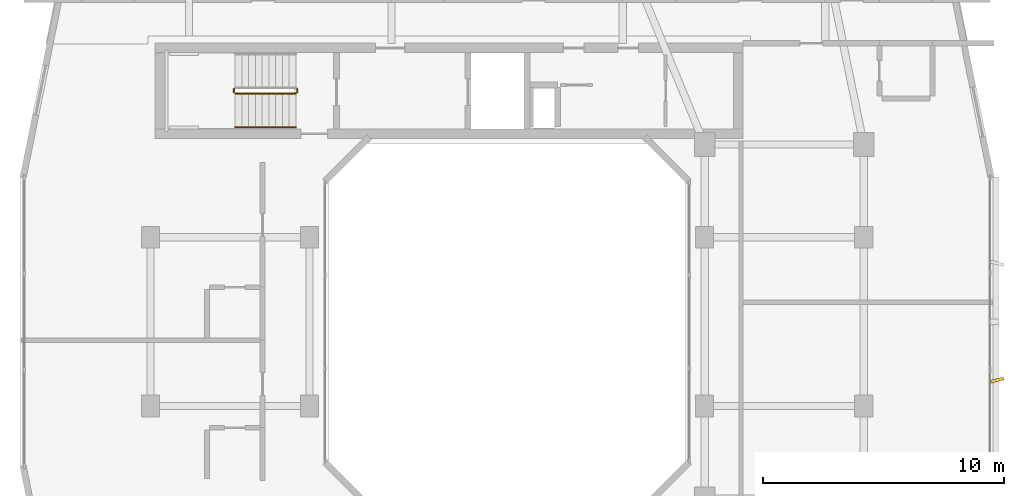
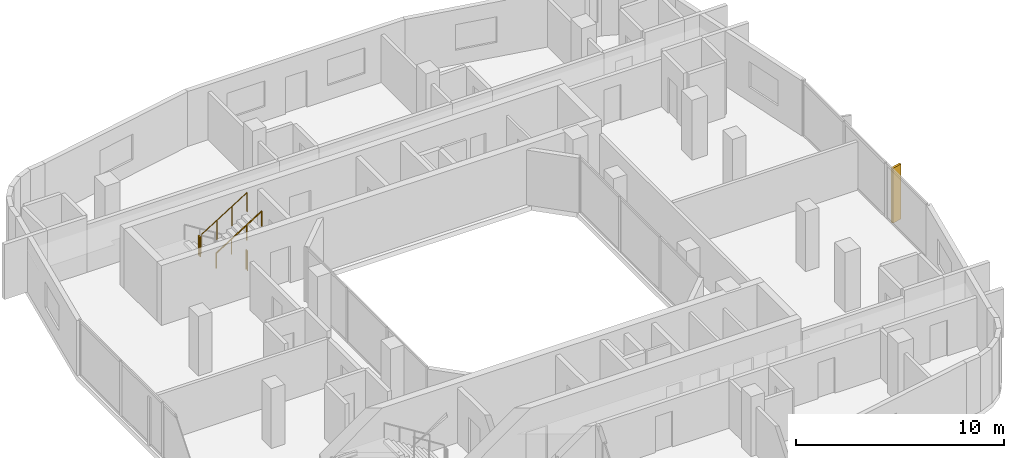
# One storey, part 12 of 13: 4 railings, 1 shading device.
"""IFC4 building model written with IfcOpenShell, lengths in metres."""

from ifc_helpers import new_model, si_unit, derived_unit, direction, frame, origin, origin_2d, place, context, subcontext, project, spatial, rectangle, circle, extrude, material, type_object, element, save


model = new_model("IFC4")

# Units and contexts
model_context = context("Model", 3, precision=1e-05, world=origin(), true_north=direction((0.0, 1.0)))
body_context = subcontext(model_context, "Body", "Model", "MODEL_VIEW")
ifc_project = project(units=[si_unit("LENGTHUNIT", "METRE"), si_unit("AREAUNIT", "SQUARE_METRE"), si_unit("VOLUMEUNIT", "CUBIC_METRE"), si_unit("PLANEANGLEUNIT", "RADIAN"), si_unit("MASSUNIT", "GRAM", prefix="KILO"), derived_unit("THERMALTRANSMITTANCEUNIT", [(si_unit("POWERUNIT", "WATT"), 1), (si_unit("LENGTHUNIT", "METRE"), -2), (si_unit("THERMODYNAMICTEMPERATUREUNIT", "KELVIN"), -1)])], contexts=[model_context])

# Site, building, storey
site_placement = place(None, origin())
site = spatial("IfcSite", under=ifc_project, at=site_placement, CompositionType="ELEMENT")
building_placement = place(site_placement, origin())
building = spatial("IfcBuilding", under=site, at=building_placement, Name="Kivonza Crest Hotel", CompositionType="ELEMENT")
storey_placement = place(building_placement, frame((0.0, 0.0, 155.5)))
storey = spatial("IfcBuildingStorey", under=building, at=storey_placement, Name="L42", CompositionType="ELEMENT", Elevation=155.5)

# Railings
ifc_material_1 = material(Name="Brushed stainless steel handrail", Category="steel")
railing_type_1 = type_object("IfcRailingType", Name="RL-HAND-900", PredefinedType="HANDRAIL", material=ifc_material_1)
railing_1_placement = place(storey_placement, frame((9.719970703125, 33.070068359375, 1.925048828125)))
element("IfcRailing", 1, at=railing_1_placement, inside=storey, type_object=railing_type_1, Name="L42 ST-T1-N stair handrail 2", PredefinedType="HANDRAIL", context=body_context, shape_type="SweptSolid", body=[
    extrude(circle(Radius=0.02392578125, at=origin_2d()), frame((0.0, 0.0, 0.8759765625), z_axis=(0.848007534815, 0.0, 0.529984170421), x_axis=(0.0, 1.0, 0.0)), (0.0, 0.0, 1.0), 2.9716796875),
    extrude(circle(Radius=0.02099609375, at=origin_2d()), origin(), (0.0, 0.0, 1.0), 0.851806640625),
    extrude(circle(Radius=0.02099609375, at=origin_2d()), frame((0.840087890625, 0.0, 0.52490234375)), (0.0, 0.0, 1.0), 0.851806640625),
    extrude(circle(Radius=0.02099609375, at=origin_2d()), frame((1.679931640625, 0.0, 1.050048828125)), (0.0, 0.0, 1.0), 0.851806640625),
    extrude(circle(Radius=0.02099609375, at=origin_2d()), frame((2.52001953125, 0.0, 1.574951171875)), (0.0, 0.0, 1.0), 0.851806640625),
])
ifc_material_2 = material(Name="Painted steel balustrade", Category="steel")
railing_type_2 = type_object("IfcRailingType", Name="RL-STAIR-1150", PredefinedType="BALUSTRADE", material=ifc_material_2)
railing_2_placement = place(storey_placement, frame((9.669921875, 34.659912109375, 1.75)))
element("IfcRailing", 2, at=railing_2_placement, inside=storey, type_object=railing_type_2, Name="L42 ST-T1-N stair guard 2", PredefinedType="BALUSTRADE", context=body_context, shape_type="SweptSolid", body=[
    extrude(circle(Radius=0.02392578125, at=origin_2d()), frame((0.0, 0.0, 1.1259765625), z_axis=(0.0, -1.0, 0.0), x_axis=(1.0, 0.0, 0.0)), (0.0, 0.0, 1.0), 0.139892578125),
    extrude(circle(Radius=0.02099609375, at=origin_2d()), origin(), (0.0, 0.0, 1.0), 1.101806640625),
    extrude(circle(Radius=0.02099609375, at=origin_2d()), frame((0.0, -0.139892578125, 0.0)), (0.0, 0.0, 1.0), 1.101806640625),
])
railing_3_placement = place(storey_placement, frame((9.719970703125, 34.469970703125, 1.925048828125)))
element("IfcRailing", 3, at=railing_3_placement, inside=storey, type_object=railing_type_2, Name="L42 ST-T1-N stair guard 3", PredefinedType="BALUSTRADE", context=body_context, shape_type="SweptSolid", body=[
    extrude(circle(Radius=0.02392578125, at=origin_2d()), frame((0.0, 0.0, 1.1259765625), z_axis=(0.848007534815, 0.0, 0.529984170421), x_axis=(0.0, 1.0, 0.0)), (0.0, 0.0, 1.0), 2.9716796875),
    extrude(circle(Radius=0.02099609375, at=origin_2d()), origin(), (0.0, 0.0, 1.0), 1.101806640625),
    extrude(circle(Radius=0.02099609375, at=origin_2d()), frame((0.840087890625, 0.0, 0.52490234375)), (0.0, 0.0, 1.0), 1.101806640625),
    extrude(circle(Radius=0.02099609375, at=origin_2d()), frame((1.679931640625, 0.0, 1.050048828125)), (0.0, 0.0, 1.0), 1.101806640625),
    extrude(circle(Radius=0.02099609375, at=origin_2d()), frame((2.52001953125, 0.0, 1.574951171875)), (0.0, 0.0, 1.0), 1.101806640625),
])
railing_4_placement = place(storey_placement, frame((12.2900390625, 34.659912109375, 0.0)))
element("IfcRailing", 4, at=railing_4_placement, inside=storey, type_object=railing_type_2, Name="L42 ST-T1-N stair guard 4", PredefinedType="BALUSTRADE", context=body_context, shape_type="SweptSolid", body=[
    extrude(circle(Radius=0.02392578125, at=origin_2d()), frame((0.0, 0.0, 1.1259765625), z_axis=(0.0, -1.0, 0.0), x_axis=(1.0, 0.0, 0.0)), (0.0, 0.0, 1.0), 0.139892578125),
    extrude(circle(Radius=0.02099609375, at=origin_2d()), origin(), (0.0, 0.0, 1.0), 1.101806640625),
    extrude(circle(Radius=0.02099609375, at=origin_2d()), frame((0.0, -0.139892578125, 0.0)), (0.0, 0.0, 1.0), 1.101806640625),
])

# Shading device
ifc_material_3 = material(Name="Kiln-fired terracotta over extruded aluminium spine", Category="masonry")
shading_device_type = type_object("IfcShadingDeviceType", Name="SH-FIN-550", PredefinedType="USERDEFINED", material=ifc_material_3)
shading_device_placement = place(storey_placement, frame((41.340087890625, 22.575927734375, 0.0), z_axis=(0.0, 0.0, 1.0), x_axis=(-0.2419218956, 0.970295726276, 0.0)))
element("IfcShadingDevice", 5, at=shading_device_placement, inside=storey, type_object=shading_device_type, Name="L42 vertical solar shading fin CW-T1-L42-17-1", ObjectType="FIN", PredefinedType="USERDEFINED", context=body_context, shape_type="SweptSolid", body=[
    extrude(rectangle(XDim=0.1201171875, YDim=0.550048828125, at=origin_2d()), origin(), (0.0, 0.0, 1.0), 3.219970703125),
])

save(model, "model.ifc")
